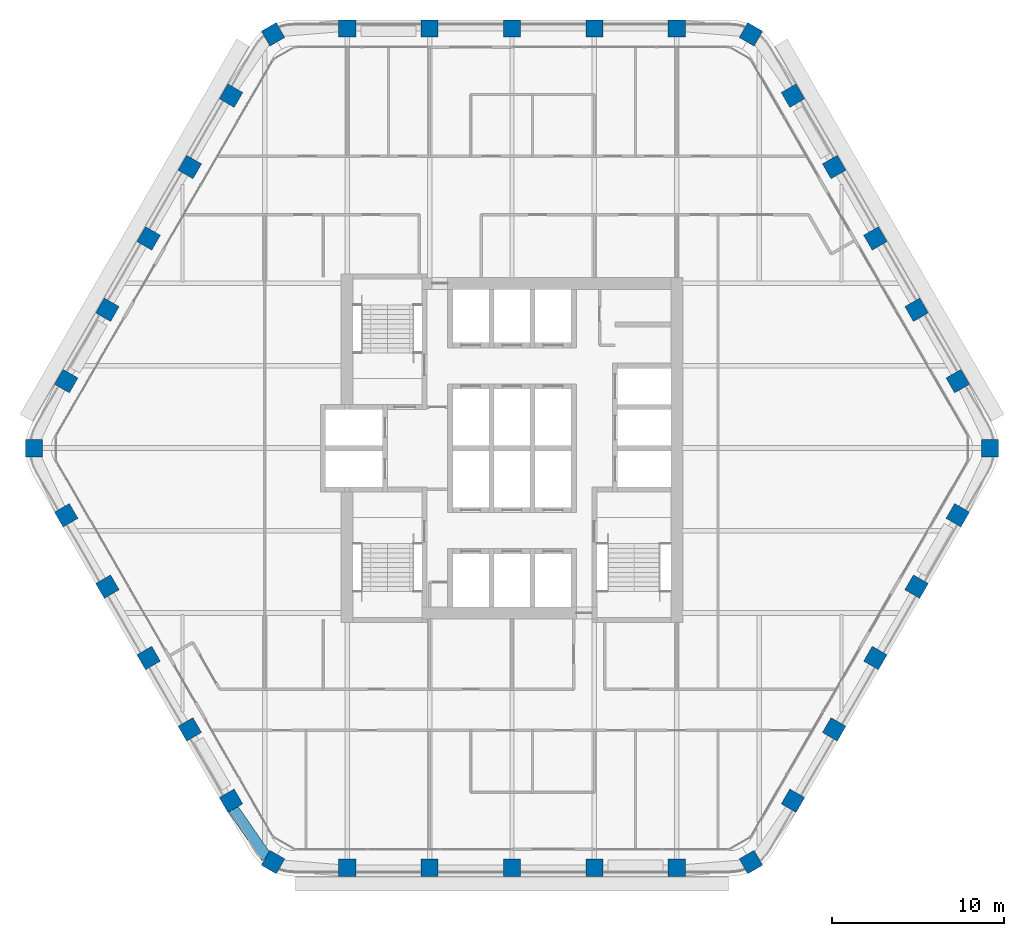
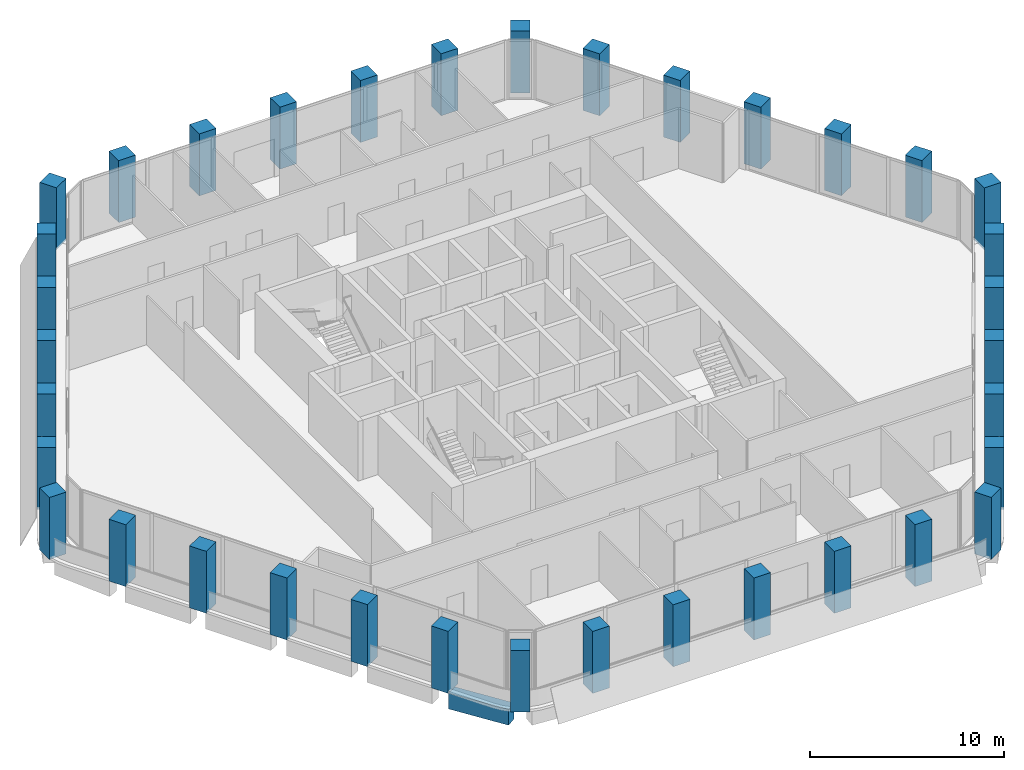
# One storey, part 1 of 15: 36 columns, 1 beam.
"""IFC4 building model written with IfcOpenShell, lengths in metres."""

from ifc_helpers import new_model, si_unit, direction, frame, origin, origin_2d, place, context, subcontext, project, spatial, rectangle, extrude, material, material_profile, profile_set, type_object, element, save


model = new_model("IFC4")

# Units and contexts
model_context = context("Model", 3, precision=1e-05, world=origin(), true_north=direction((0.0, 1.0)))
body_context = subcontext(model_context, "Body", "Model", "MODEL_VIEW")
ifc_project = project(units=[si_unit("LENGTHUNIT", "METRE"), si_unit("AREAUNIT", "SQUARE_METRE"), si_unit("VOLUMEUNIT", "CUBIC_METRE"), si_unit("PLANEANGLEUNIT", "RADIAN"), si_unit("MASSUNIT", "GRAM", prefix="KILO")], contexts=[model_context])

# Site, building, storey
site_placement = place(None, origin())
site = spatial("IfcSite", under=ifc_project, at=site_placement, CompositionType="ELEMENT")
building_placement = place(site_placement, origin())
building = spatial("IfcBuilding", under=site, at=building_placement, Name="Kolab Exchange Tower", CompositionType="ELEMENT")
storey_placement = place(building_placement, frame((0.0, 0.0, 170.0)))
storey = spatial("IfcBuildingStorey", under=building, at=storey_placement, Name="L35", CompositionType="ELEMENT", Elevation=170.0)

# Columns
ifc_material = material(Name="Concrete C60/75", Category="concrete")
ifc_material_profile_1 = material_profile(ifc_material, rectangle(XDim=1.0, YDim=1.0, at=origin_2d()), Name="RC1000")
ifc_profile_set_1 = profile_set([ifc_material_profile_1], Name="Concrete C60/75")
column_type = type_object("IfcColumnType", Name="PERIMETER COLUMN 1000 SQ C60/75", PredefinedType="COLUMN", material=ifc_profile_set_1)
for number, where, z_axis, x_axis, name in (
    (1, (-13.91796875, 24.106689453125, -0.14990234375), (0.0, 0.0, 1.0), (0.866025403784, 0.5, 0.0), "col/L35/F1-01"),
    (2, (-9.60009765625, 24.441650390625, -0.14990234375), (0.0, 0.0, 1.0), (1.0, 0.0, 0.0), "col/L35/F1-02"),
    (3, (-4.800048828125, 24.441650390625, -0.14990234375), (0.0, 0.0, 1.0), (1.0, 0.0, 0.0), "col/L35/F1-03"),
    (4, (0.0, 24.441650390625, -0.14990234375), (0.0, 0.0, 1.0), (1.0, 0.0, 0.0), "col/L35/F1-04"),
    (5, (4.800048828125, 24.441650390625, -0.14990234375), (0.0, 0.0, 1.0), (1.0, 0.0, 0.0), "col/L35/F1-05"),
    (6, (9.60009765625, 24.441650390625, -0.14990234375), (0.0, 0.0, 1.0), (1.0, 0.0, 0.0), "col/L35/F1-06"),
    (7, (13.91796875, 24.106689453125, -0.14990234375), (0.0, 0.0, 1.0), (0.5, 0.866025403784, 0.0), "col/L35/F2-01"),
    (8, (16.366943359375, 20.53466796875, -0.14990234375), (0.0, 0.0, 1.0), (0.866025403784, 0.5, 0.0), "col/L35/F2-02"),
    (9, (18.76708984375, 16.377685546875, -0.14990234375), (0.0, 0.0, 1.0), (0.866025403784, 0.5, 0.0), "col/L35/F2-03"),
    (10, (21.1669921875, 12.220703125, -0.14990234375), (0.0, 0.0, 1.0), (0.866025403784, 0.5, 0.0), "col/L35/F2-04"),
    (11, (23.56689453125, 8.06396484375, -0.14990234375), (0.0, 0.0, 1.0), (0.866025403784, 0.5, 0.0), "col/L35/F2-05"),
    (12, (25.967041015625, 3.906982421875, -0.14990234375), (0.0, 0.0, 1.0), (0.866025403784, 0.5, 0.0), "col/L35/F2-06"),
    (13, (27.8359375, 0.0, -0.14990234375), (0.0, 0.0, 1.0), (1.0, 0.0, 0.0), "col/L35/F3-01"),
    (14, (25.967041015625, -3.906982421875, -0.14990234375), (0.0, 0.0, 1.0), (0.5, 0.866025403784, 0.0), "col/L35/F3-02"),
    (15, (23.56689453125, -8.06396484375, -0.14990234375), (0.0, 0.0, 1.0), (0.5, 0.866025403784, 0.0), "col/L35/F3-03"),
    (16, (21.1669921875, -12.220703125, -0.14990234375), (0.0, 0.0, 1.0), (0.5, 0.866025403784, 0.0), "col/L35/F3-04"),
    (17, (18.76708984375, -16.377685546875, -0.14990234375), (0.0, 0.0, 1.0), (0.5, 0.866025403784, 0.0), "col/L35/F3-05"),
    (18, (16.366943359375, -20.53466796875, -0.14990234375), (0.0, 0.0, 1.0), (0.5, 0.866025403784, 0.0), "col/L35/F3-06"),
    (19, (13.91796875, -24.106689453125, -0.14990234375), (0.0, 0.0, 1.0), (0.866025403784, 0.5, 0.0), "col/L35/F4-01"),
    (20, (9.60009765625, -24.441650390625, -0.14990234375), (0.0, 0.0, 1.0), (1.0, 0.0, 0.0), "col/L35/F4-02"),
    (21, (4.800048828125, -24.441650390625, -0.14990234375), (0.0, 0.0, 1.0), (1.0, 0.0, 0.0), "col/L35/F4-03"),
    (22, (0.0, -24.441650390625, -0.14990234375), (0.0, 0.0, 1.0), (1.0, 0.0, 0.0), "col/L35/F4-04"),
    (23, (-4.800048828125, -24.441650390625, -0.14990234375), (0.0, 0.0, 1.0), (1.0, 0.0, 0.0), "col/L35/F4-05"),
    (24, (-9.60009765625, -24.441650390625, -0.14990234375), (0.0, 0.0, 1.0), (1.0, 0.0, 0.0), "col/L35/F4-06"),
    (25, (-13.91796875, -24.106689453125, -0.14990234375), (0.0, 0.0, 1.0), (0.5, 0.866025403784, 0.0), "col/L35/F5-01"),
    (26, (-16.366943359375, -20.53466796875, -0.14990234375), (0.0, 0.0, 1.0), (0.866025403784, 0.5, 0.0), "col/L35/F5-02"),
    (27, (-18.76708984375, -16.377685546875, -0.14990234375), (0.0, 0.0, 1.0), (0.866025403784, 0.5, 0.0), "col/L35/F5-03"),
    (28, (-21.1669921875, -12.220703125, -0.14990234375), (0.0, 0.0, 1.0), (0.866025403784, 0.5, 0.0), "col/L35/F5-04"),
    (29, (-23.56689453125, -8.06396484375, -0.14990234375), (0.0, 0.0, 1.0), (0.866025403784, 0.5, 0.0), "col/L35/F5-05"),
    (30, (-25.967041015625, -3.906982421875, -0.14990234375), (0.0, 0.0, 1.0), (0.866025403784, 0.5, 0.0), "col/L35/F5-06"),
    (31, (-27.8359375, 0.0, -0.14990234375), (0.0, 0.0, 1.0), (1.0, 0.0, 0.0), "col/L35/F6-01"),
    (32, (-25.967041015625, 3.906982421875, -0.14990234375), (0.0, 0.0, 1.0), (0.5, 0.866025403784, 0.0), "col/L35/F6-02"),
    (33, (-23.56689453125, 8.06396484375, -0.14990234375), (0.0, 0.0, 1.0), (0.5, 0.866025403784, 0.0), "col/L35/F6-03"),
    (34, (-21.1669921875, 12.220703125, -0.14990234375), (0.0, 0.0, 1.0), (0.5, 0.866025403784, 0.0), "col/L35/F6-04"),
    (35, (-18.76708984375, 16.377685546875, -0.14990234375), (0.0, 0.0, 1.0), (0.5, 0.866025403784, 0.0), "col/L35/F6-05"),
    (36, (-16.366943359375, 20.53466796875, -0.14990234375), (0.0, 0.0, 1.0), (0.5, 0.866025403784, 0.0), "col/L35/F6-06"),
):
    element("IfcColumn", number, at=place(storey_placement, frame(where, z_axis=z_axis, x_axis=x_axis)), inside=storey, type_object=column_type, Name=name, PredefinedType="COLUMN", context=body_context, shape_type="SweptSolid", body=[
        extrude(rectangle(XDim=1.0, YDim=1.0, at=origin_2d()), origin(), (0.0, 0.0, 1.0), 3.89990234375),
    ])

# Beam
ifc_material_profile_2 = material_profile(ifc_material, rectangle(XDim=0.64990234375, YDim=1.0, at=origin_2d()), Name="RC650X1000")
ifc_profile_set_2 = profile_set([ifc_material_profile_2], Name="Concrete C60/75")
beam_type = type_object("IfcBeamType", Name="SPANDREL BEAM 650X1000 C60/75", PredefinedType="BEAM", material=ifc_profile_set_2)
beam_placement = place(storey_placement, frame((-14.29736328125, -23.8359375, -0.64990234375), z_axis=(-0.568572281073, 0.822633309073, 0.0), x_axis=(-0.822633309073, -0.568572281073, 0.0)))
element("IfcBeam", 37, at=beam_placement, inside=storey, type_object=beam_type, Name="beam/L35/sp/F5-01", PredefinedType="BEAM", context=body_context, shape_type="SweptSolid", body=[
    extrude(rectangle(XDim=0.64990234375, YDim=1.0, at=origin_2d()), origin(), (0.0, 0.0, 1.0), 3.445068359375),
])

save(model, "model.ifc")
